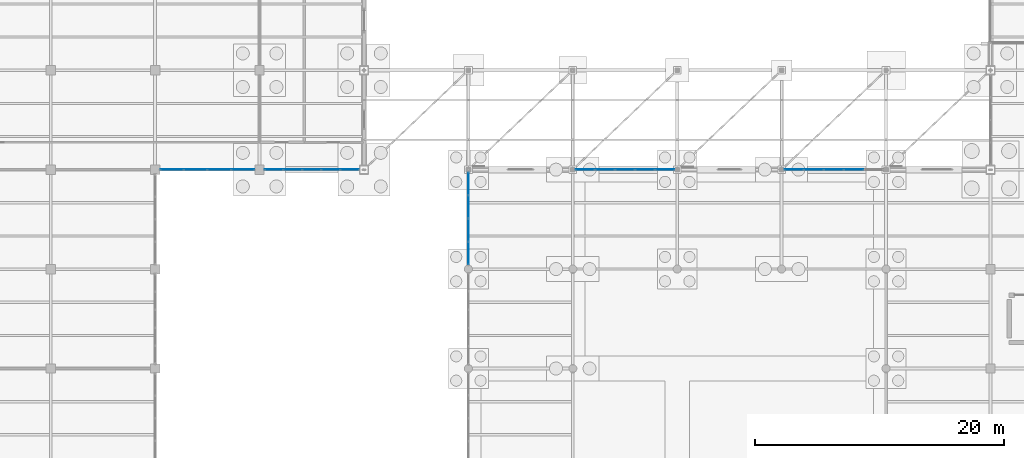
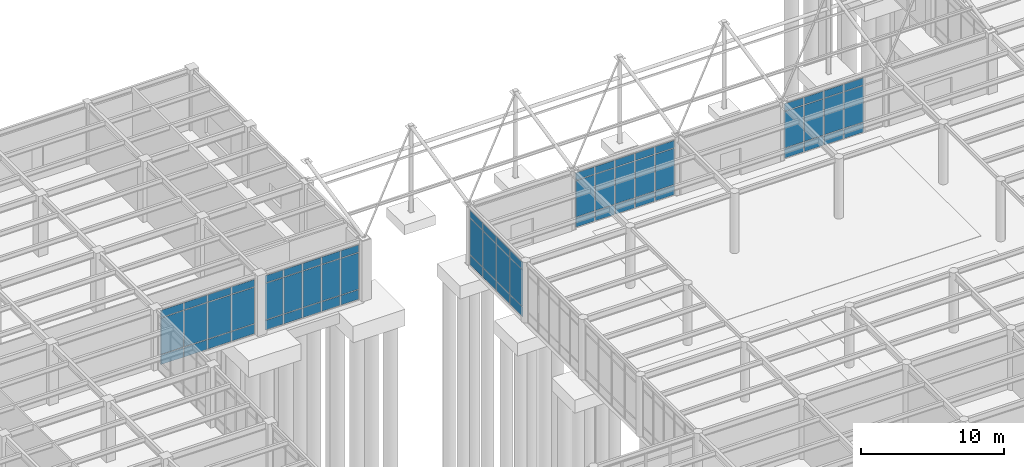
# One storey, part 69 of 138: 66 plates, 5 elements without a shape of their own.
"""IFC4 building model written with IfcOpenShell, lengths in metres."""

from ifc_helpers import new_model, si_unit, direction, frame, origin, origin_2d, place, context, subcontext, project, spatial, rectangle, extrude, material, layer, layer_set, type_object, element, aggregate, save


model = new_model("IFC4")

# Units and contexts
model_context = context("Model", 3, precision=1e-05, world=origin(), true_north=direction((0.0, 1.0)))
body_context = subcontext(model_context, "Body", "Model", "MODEL_VIEW")
ifc_project = project(units=[si_unit("LENGTHUNIT", "METRE"), si_unit("AREAUNIT", "SQUARE_METRE"), si_unit("VOLUMEUNIT", "CUBIC_METRE"), si_unit("PLANEANGLEUNIT", "RADIAN"), si_unit("MASSUNIT", "GRAM", prefix="KILO")], contexts=[model_context])

# Site, building, storey
site_placement = place(None, origin())
site = spatial("IfcSite", under=ifc_project, at=site_placement, CompositionType="ELEMENT")
building_placement = place(site_placement, origin())
building = spatial("IfcBuilding", under=site, at=building_placement, Name="Kranzveld Transit Interchange", CompositionType="ELEMENT")
storey_placement = place(building_placement, origin())
storey = spatial("IfcBuildingStorey", under=building, at=storey_placement, Name="L00", CompositionType="ELEMENT", Elevation=0.0)

# Curtain wall, plates
ifc_material_1 = material(Name="Bronze-anodised thermally broken aluminium", Category="aluminium")
ifc_layer_1 = layer(ifc_material_1, 0.159912109375)
ifc_layer_set_1 = layer_set([ifc_layer_1], Name="Bronze-anodised thermally broken aluminium")
curtain_wall_type_1 = type_object("IfcCurtainWallType", Name="Bus Boarding Glazed Screen CW-3", PredefinedType="USERDEFINED", material=ifc_layer_set_1)
curtain_wall_1_placement = place(storey_placement, origin())
curtain_wall_1 = element("IfcCurtainWall", 1, at=curtain_wall_1_placement, inside=storey, type_object=curtain_wall_type_1, Name="L00 Curtain Wall 05/M-06/M", ObjectType="CURTAIN WALL", PredefinedType="USERDEFINED")
ifc_material_2 = material(Name="Solar-control double glazing", Category="glass")
ifc_layer_2 = layer(ifc_material_2, 0.031982421875)
ifc_layer_set_2 = layer_set([ifc_layer_2], Name="Solar-control double glazing")
plate_type_1 = type_object("IfcPlateType", Name="Curtain Panel Acoustic Glazing 32", PredefinedType="CURTAIN_PANEL", material=ifc_layer_set_2)
plate_1_placement = place(storey_placement, frame((34.9462890625, 88.0, 0.06005859375), z_axis=(0.0, 0.0, 1.0), x_axis=(1.0, 0.0, 0.0)))
plate_1 = element("IfcPlate", 2, at=plate_1_placement, type_object=plate_type_1, Name="CW-3 panel 1.1", PredefinedType="CURTAIN_PANEL", context=body_context, shape_type="SweptSolid", body=[
    extrude(rectangle(XDim=1.822509765625, YDim=0.031982421875, at=origin_2d()), origin(), (0.0, 0.0, 1.0), 0.81005859375),
])
plate_2_placement = place(storey_placement, frame((34.9462890625, 88.0, 0.929931640625), z_axis=(0.0, 0.0, 1.0), x_axis=(1.0, 0.0, 0.0)))
plate_2 = element("IfcPlate", 3, at=plate_2_placement, type_object=plate_type_1, Name="CW-3 panel 1.2", PredefinedType="CURTAIN_PANEL", context=body_context, shape_type="SweptSolid", body=[
    extrude(rectangle(XDim=1.822509765625, YDim=0.031982421875, at=origin_2d()), origin(), (0.0, 0.0, 1.0), 3.08056640625),
])
plate_3_placement = place(storey_placement, frame((34.9462890625, 88.0, 4.0703125), z_axis=(0.0, 0.0, 1.0), x_axis=(1.0, 0.0, 0.0)))
plate_3 = element("IfcPlate", 4, at=plate_3_placement, type_object=plate_type_1, Name="CW-3 panel 1.3", PredefinedType="CURTAIN_PANEL", context=body_context, shape_type="SweptSolid", body=[
    extrude(rectangle(XDim=1.822509765625, YDim=0.031982421875, at=origin_2d()), origin(), (0.0, 0.0, 1.0), 0.610107421875),
])
plate_4_placement = place(storey_placement, frame((36.84375, 88.0, 0.06005859375), z_axis=(0.0, 0.0, 1.0), x_axis=(1.0, 0.0, 0.0)))
plate_4 = element("IfcPlate", 5, at=plate_4_placement, type_object=plate_type_1, Name="CW-3 panel 2.1", PredefinedType="CURTAIN_PANEL", context=body_context, shape_type="SweptSolid", body=[
    extrude(rectangle(XDim=1.8525390625, YDim=0.031982421875, at=origin_2d()), origin(), (0.0, 0.0, 1.0), 0.81005859375),
])
plate_5_placement = place(storey_placement, frame((36.84375, 88.0, 0.929931640625), z_axis=(0.0, 0.0, 1.0), x_axis=(1.0, 0.0, 0.0)))
plate_5 = element("IfcPlate", 6, at=plate_5_placement, type_object=plate_type_1, Name="CW-3 panel 2.2", PredefinedType="CURTAIN_PANEL", context=body_context, shape_type="SweptSolid", body=[
    extrude(rectangle(XDim=1.8525390625, YDim=0.031982421875, at=origin_2d()), origin(), (0.0, 0.0, 1.0), 3.08056640625),
])
plate_6_placement = place(storey_placement, frame((36.84375, 88.0, 4.0703125), z_axis=(0.0, 0.0, 1.0), x_axis=(1.0, 0.0, 0.0)))
plate_6 = element("IfcPlate", 7, at=plate_6_placement, type_object=plate_type_1, Name="CW-3 panel 2.3", PredefinedType="CURTAIN_PANEL", context=body_context, shape_type="SweptSolid", body=[
    extrude(rectangle(XDim=1.8525390625, YDim=0.031982421875, at=origin_2d()), origin(), (0.0, 0.0, 1.0), 0.610107421875),
])
plate_7_placement = place(storey_placement, frame((38.75634765625, 88.0, 0.06005859375), z_axis=(0.0, 0.0, 1.0), x_axis=(1.0, 0.0, 0.0)))
plate_7 = element("IfcPlate", 8, at=plate_7_placement, type_object=plate_type_1, Name="CW-3 panel 3.1", PredefinedType="CURTAIN_PANEL", context=body_context, shape_type="SweptSolid", body=[
    extrude(rectangle(XDim=1.8525390625, YDim=0.031982421875, at=origin_2d()), origin(), (0.0, 0.0, 1.0), 0.81005859375),
])
plate_8_placement = place(storey_placement, frame((38.75634765625, 88.0, 0.929931640625), z_axis=(0.0, 0.0, 1.0), x_axis=(1.0, 0.0, 0.0)))
plate_8 = element("IfcPlate", 9, at=plate_8_placement, type_object=plate_type_1, Name="CW-3 panel 3.2", PredefinedType="CURTAIN_PANEL", context=body_context, shape_type="SweptSolid", body=[
    extrude(rectangle(XDim=1.8525390625, YDim=0.031982421875, at=origin_2d()), origin(), (0.0, 0.0, 1.0), 3.08056640625),
])
plate_9_placement = place(storey_placement, frame((38.75634765625, 88.0, 4.0703125), z_axis=(0.0, 0.0, 1.0), x_axis=(1.0, 0.0, 0.0)))
plate_9 = element("IfcPlate", 10, at=plate_9_placement, type_object=plate_type_1, Name="CW-3 panel 3.3", PredefinedType="CURTAIN_PANEL", context=body_context, shape_type="SweptSolid", body=[
    extrude(rectangle(XDim=1.8525390625, YDim=0.031982421875, at=origin_2d()), origin(), (0.0, 0.0, 1.0), 0.610107421875),
])
plate_10_placement = place(storey_placement, frame((40.65380859375, 88.0, 0.06005859375), z_axis=(0.0, 0.0, 1.0), x_axis=(1.0, 0.0, 0.0)))
plate_10 = element("IfcPlate", 11, at=plate_10_placement, type_object=plate_type_1, Name="CW-3 panel 4.1", PredefinedType="CURTAIN_PANEL", context=body_context, shape_type="SweptSolid", body=[
    extrude(rectangle(XDim=1.822509765625, YDim=0.031982421875, at=origin_2d()), origin(), (0.0, 0.0, 1.0), 0.81005859375),
])
plate_11_placement = place(storey_placement, frame((40.65380859375, 88.0, 0.929931640625), z_axis=(0.0, 0.0, 1.0), x_axis=(1.0, 0.0, 0.0)))
plate_11 = element("IfcPlate", 12, at=plate_11_placement, type_object=plate_type_1, Name="CW-3 panel 4.2", PredefinedType="CURTAIN_PANEL", context=body_context, shape_type="SweptSolid", body=[
    extrude(rectangle(XDim=1.822509765625, YDim=0.031982421875, at=origin_2d()), origin(), (0.0, 0.0, 1.0), 3.08056640625),
])
plate_12_placement = place(storey_placement, frame((40.65380859375, 88.0, 4.0703125), z_axis=(0.0, 0.0, 1.0), x_axis=(1.0, 0.0, 0.0)))
plate_12 = element("IfcPlate", 13, at=plate_12_placement, type_object=plate_type_1, Name="CW-3 panel 4.3", PredefinedType="CURTAIN_PANEL", context=body_context, shape_type="SweptSolid", body=[
    extrude(rectangle(XDim=1.822509765625, YDim=0.031982421875, at=origin_2d()), origin(), (0.0, 0.0, 1.0), 0.610107421875),
])
aggregate(curtain_wall_1, [plate_1, plate_2, plate_3, plate_4, plate_5, plate_6, plate_7, plate_8, plate_9, plate_10, plate_11, plate_12])

ifc_material_3 = material(Name="Bronze-anodised thermally broken aluminium", Category="aluminium")
ifc_layer_3 = layer(ifc_material_3, 0.14990234375)
ifc_layer_set_3 = layer_set([ifc_layer_3], Name="Bronze-anodised thermally broken aluminium")
curtain_wall_type_2 = type_object("IfcCurtainWallType", Name="Public Passage Clerestory Screen CW-4", PredefinedType="USERDEFINED", material=ifc_layer_set_3)
curtain_wall_2_placement = place(storey_placement, origin())
curtain_wall_2 = element("IfcCurtainWall", 14, at=curtain_wall_2_placement, inside=storey, type_object=curtain_wall_type_2, Name="L00 Curtain Wall 06/M-07/M", ObjectType="CURTAIN WALL", PredefinedType="USERDEFINED")
ifc_material_4 = material(Name="Solar-control double glazing", Category="glass")
ifc_layer_4 = layer(ifc_material_4, 0.0419921875)
ifc_layer_set_4 = layer_set([ifc_layer_4], Name="Solar-control double glazing")
plate_type_2 = type_object("IfcPlateType", Name="Curtain Panel Laminated Glazing 42", PredefinedType="CURTAIN_PANEL", material=ifc_layer_set_4)
plate_13_placement = place(storey_placement, frame((43.155029296875, 88.0, 0.06005859375), z_axis=(0.0, 0.0, 1.0), x_axis=(1.0, 0.0, 0.0)))
plate_13 = element("IfcPlate", 15, at=plate_13_placement, type_object=plate_type_2, Name="CW-4 panel 1.1", PredefinedType="CURTAIN_PANEL", context=body_context, shape_type="SweptSolid", body=[
    extrude(rectangle(XDim=1.43994140625, YDim=0.0419921875, at=origin_2d()), origin(), (0.0, 0.0, 1.0), 0.81005859375),
])
plate_14_placement = place(storey_placement, frame((43.155029296875, 88.0, 0.929931640625), z_axis=(0.0, 0.0, 1.0), x_axis=(1.0, 0.0, 0.0)))
plate_14 = element("IfcPlate", 16, at=plate_14_placement, type_object=plate_type_2, Name="CW-4 panel 1.2", PredefinedType="CURTAIN_PANEL", context=body_context, shape_type="SweptSolid", body=[
    extrude(rectangle(XDim=1.43994140625, YDim=0.0419921875, at=origin_2d()), origin(), (0.0, 0.0, 1.0), 3.08056640625),
])
plate_15_placement = place(storey_placement, frame((43.155029296875, 88.0, 4.0703125), z_axis=(0.0, 0.0, 1.0), x_axis=(1.0, 0.0, 0.0)))
plate_15 = element("IfcPlate", 17, at=plate_15_placement, type_object=plate_type_2, Name="CW-4 panel 1.3", PredefinedType="CURTAIN_PANEL", context=body_context, shape_type="SweptSolid", body=[
    extrude(rectangle(XDim=1.43994140625, YDim=0.0419921875, at=origin_2d()), origin(), (0.0, 0.0, 1.0), 0.610107421875),
])
plate_16_placement = place(storey_placement, frame((44.669921875, 88.0, 0.06005859375), z_axis=(0.0, 0.0, 1.0), x_axis=(1.0, 0.0, 0.0)))
plate_16 = element("IfcPlate", 18, at=plate_16_placement, type_object=plate_type_2, Name="CW-4 panel 2.1", PredefinedType="CURTAIN_PANEL", context=body_context, shape_type="SweptSolid", body=[
    extrude(rectangle(XDim=1.469970703125, YDim=0.0419921875, at=origin_2d()), origin(), (0.0, 0.0, 1.0), 0.81005859375),
])
plate_17_placement = place(storey_placement, frame((44.669921875, 88.0, 0.929931640625), z_axis=(0.0, 0.0, 1.0), x_axis=(1.0, 0.0, 0.0)))
plate_17 = element("IfcPlate", 19, at=plate_17_placement, type_object=plate_type_2, Name="CW-4 panel 2.2", PredefinedType="CURTAIN_PANEL", context=body_context, shape_type="SweptSolid", body=[
    extrude(rectangle(XDim=1.469970703125, YDim=0.0419921875, at=origin_2d()), origin(), (0.0, 0.0, 1.0), 3.08056640625),
])
plate_18_placement = place(storey_placement, frame((44.669921875, 88.0, 4.0703125), z_axis=(0.0, 0.0, 1.0), x_axis=(1.0, 0.0, 0.0)))
plate_18 = element("IfcPlate", 20, at=plate_18_placement, type_object=plate_type_2, Name="CW-4 panel 2.3", PredefinedType="CURTAIN_PANEL", context=body_context, shape_type="SweptSolid", body=[
    extrude(rectangle(XDim=1.469970703125, YDim=0.0419921875, at=origin_2d()), origin(), (0.0, 0.0, 1.0), 0.610107421875),
])
plate_19_placement = place(storey_placement, frame((46.199951171875, 88.0, 0.06005859375), z_axis=(0.0, 0.0, 1.0), x_axis=(1.0, 0.0, 0.0)))
plate_19 = element("IfcPlate", 21, at=plate_19_placement, type_object=plate_type_2, Name="CW-4 panel 3.1", PredefinedType="CURTAIN_PANEL", context=body_context, shape_type="SweptSolid", body=[
    extrude(rectangle(XDim=1.469970703125, YDim=0.0419921875, at=origin_2d()), origin(), (0.0, 0.0, 1.0), 0.81005859375),
])
plate_20_placement = place(storey_placement, frame((46.199951171875, 88.0, 0.929931640625), z_axis=(0.0, 0.0, 1.0), x_axis=(1.0, 0.0, 0.0)))
plate_20 = element("IfcPlate", 22, at=plate_20_placement, type_object=plate_type_2, Name="CW-4 panel 3.2", PredefinedType="CURTAIN_PANEL", context=body_context, shape_type="SweptSolid", body=[
    extrude(rectangle(XDim=1.469970703125, YDim=0.0419921875, at=origin_2d()), origin(), (0.0, 0.0, 1.0), 3.08056640625),
])
plate_21_placement = place(storey_placement, frame((46.199951171875, 88.0, 4.0703125), z_axis=(0.0, 0.0, 1.0), x_axis=(1.0, 0.0, 0.0)))
plate_21 = element("IfcPlate", 23, at=plate_21_placement, type_object=plate_type_2, Name="CW-4 panel 3.3", PredefinedType="CURTAIN_PANEL", context=body_context, shape_type="SweptSolid", body=[
    extrude(rectangle(XDim=1.469970703125, YDim=0.0419921875, at=origin_2d()), origin(), (0.0, 0.0, 1.0), 0.610107421875),
])
plate_22_placement = place(storey_placement, frame((47.72998046875, 88.0, 0.06005859375), z_axis=(0.0, 0.0, 1.0), x_axis=(1.0, 0.0, 0.0)))
plate_22 = element("IfcPlate", 24, at=plate_22_placement, type_object=plate_type_2, Name="CW-4 panel 4.1", PredefinedType="CURTAIN_PANEL", context=body_context, shape_type="SweptSolid", body=[
    extrude(rectangle(XDim=1.469970703125, YDim=0.0419921875, at=origin_2d()), origin(), (0.0, 0.0, 1.0), 0.81005859375),
])
plate_23_placement = place(storey_placement, frame((47.72998046875, 88.0, 0.929931640625), z_axis=(0.0, 0.0, 1.0), x_axis=(1.0, 0.0, 0.0)))
plate_23 = element("IfcPlate", 25, at=plate_23_placement, type_object=plate_type_2, Name="CW-4 panel 4.2", PredefinedType="CURTAIN_PANEL", context=body_context, shape_type="SweptSolid", body=[
    extrude(rectangle(XDim=1.469970703125, YDim=0.0419921875, at=origin_2d()), origin(), (0.0, 0.0, 1.0), 3.08056640625),
])
plate_24_placement = place(storey_placement, frame((47.72998046875, 88.0, 4.0703125), z_axis=(0.0, 0.0, 1.0), x_axis=(1.0, 0.0, 0.0)))
plate_24 = element("IfcPlate", 26, at=plate_24_placement, type_object=plate_type_2, Name="CW-4 panel 4.3", PredefinedType="CURTAIN_PANEL", context=body_context, shape_type="SweptSolid", body=[
    extrude(rectangle(XDim=1.469970703125, YDim=0.0419921875, at=origin_2d()), origin(), (0.0, 0.0, 1.0), 0.610107421875),
])
plate_25_placement = place(storey_placement, frame((49.2451171875, 88.0, 0.06005859375), z_axis=(0.0, 0.0, 1.0), x_axis=(1.0, 0.0, 0.0)))
plate_25 = element("IfcPlate", 27, at=plate_25_placement, type_object=plate_type_2, Name="CW-4 panel 5.1", PredefinedType="CURTAIN_PANEL", context=body_context, shape_type="SweptSolid", body=[
    extrude(rectangle(XDim=1.43994140625, YDim=0.0419921875, at=origin_2d()), origin(), (0.0, 0.0, 1.0), 0.81005859375),
])
plate_26_placement = place(storey_placement, frame((49.2451171875, 88.0, 0.929931640625), z_axis=(0.0, 0.0, 1.0), x_axis=(1.0, 0.0, 0.0)))
plate_26 = element("IfcPlate", 28, at=plate_26_placement, type_object=plate_type_2, Name="CW-4 panel 5.2", PredefinedType="CURTAIN_PANEL", context=body_context, shape_type="SweptSolid", body=[
    extrude(rectangle(XDim=1.43994140625, YDim=0.0419921875, at=origin_2d()), origin(), (0.0, 0.0, 1.0), 3.08056640625),
])
plate_27_placement = place(storey_placement, frame((49.2451171875, 88.0, 4.0703125), z_axis=(0.0, 0.0, 1.0), x_axis=(1.0, 0.0, 0.0)))
plate_27 = element("IfcPlate", 29, at=plate_27_placement, type_object=plate_type_2, Name="CW-4 panel 5.3", PredefinedType="CURTAIN_PANEL", context=body_context, shape_type="SweptSolid", body=[
    extrude(rectangle(XDim=1.43994140625, YDim=0.0419921875, at=origin_2d()), origin(), (0.0, 0.0, 1.0), 0.610107421875),
])
aggregate(curtain_wall_2, [plate_13, plate_14, plate_15, plate_16, plate_17, plate_18, plate_19, plate_20, plate_21, plate_22, plate_23, plate_24, plate_25, plate_26, plate_27])

ifc_material_5 = material(Name="Bronze-anodised thermally broken aluminium", Category="aluminium")
ifc_layer_5 = layer(ifc_material_5, 0.18505859375)
ifc_layer_set_5 = layer_set([ifc_layer_5], Name="Bronze-anodised thermally broken aluminium")
curtain_wall_type_3 = type_object("IfcCurtainWallType", Name="Control Crown Observation Facade CW-5", PredefinedType="USERDEFINED", material=ifc_layer_set_5)
curtain_wall_3_placement = place(storey_placement, origin())
curtain_wall_3 = element("IfcCurtainWall", 30, at=curtain_wall_3_placement, inside=storey, type_object=curtain_wall_type_3, Name="L00 Curtain Wall 08/L-08/M", ObjectType="CURTAIN WALL", PredefinedType="USERDEFINED")
ifc_material_6 = material(Name="Solar-control double glazing", Category="glass")
ifc_layer_6 = layer(ifc_material_6, 0.035888671875)
ifc_layer_set_6 = layer_set([ifc_layer_6], Name="Solar-control double glazing")
plate_type_3 = type_object("IfcPlateType", Name="Curtain Panel Triple Glazing 36", PredefinedType="CURTAIN_PANEL", material=ifc_layer_set_6)
plate_28_placement = place(storey_placement, frame((58.800048828125, 81.2783203125, 0.06494140625), z_axis=(0.0, 0.0, 1.0), x_axis=(0.0, 1.0, 0.0)))
plate_28 = element("IfcPlate", 31, at=plate_28_placement, type_object=plate_type_3, Name="CW-5 panel 1.1", PredefinedType="CURTAIN_PANEL", context=body_context, shape_type="SweptSolid", body=[
    extrude(rectangle(XDim=1.77685546875, YDim=0.035888671875, at=origin_2d()), origin(), (0.0, 0.0, 1.0), 0.802490234375),
])
plate_29_placement = place(storey_placement, frame((58.800048828125, 81.2783203125, 0.932373046875), z_axis=(0.0, 0.0, 1.0), x_axis=(0.0, 1.0, 0.0)))
plate_29 = element("IfcPlate", 32, at=plate_29_placement, type_object=plate_type_3, Name="CW-5 panel 1.2", PredefinedType="CURTAIN_PANEL", context=body_context, shape_type="SweptSolid", body=[
    extrude(rectangle(XDim=1.77685546875, YDim=0.035888671875, at=origin_2d()), origin(), (0.0, 0.0, 1.0), 3.08251953125),
])
plate_30_placement = place(storey_placement, frame((58.800048828125, 81.2783203125, 4.079833984375), z_axis=(0.0, 0.0, 1.0), x_axis=(0.0, 1.0, 0.0)))
plate_30 = element("IfcPlate", 33, at=plate_30_placement, type_object=plate_type_3, Name="CW-5 panel 1.3", PredefinedType="CURTAIN_PANEL", context=body_context, shape_type="SweptSolid", body=[
    extrude(rectangle(XDim=1.77685546875, YDim=0.035888671875, at=origin_2d()), origin(), (0.0, 0.0, 1.0), 0.6025390625),
])
plate_31_placement = place(storey_placement, frame((58.800048828125, 83.136474609375, 0.06494140625), z_axis=(0.0, 0.0, 1.0), x_axis=(0.0, 1.0, 0.0)))
plate_31 = element("IfcPlate", 34, at=plate_31_placement, type_object=plate_type_3, Name="CW-5 panel 2.1", PredefinedType="CURTAIN_PANEL", context=body_context, shape_type="SweptSolid", body=[
    extrude(rectangle(XDim=1.809326171875, YDim=0.035888671875, at=origin_2d()), origin(), (0.0, 0.0, 1.0), 0.802490234375),
])
plate_32_placement = place(storey_placement, frame((58.800048828125, 83.136474609375, 0.932373046875), z_axis=(0.0, 0.0, 1.0), x_axis=(0.0, 1.0, 0.0)))
plate_32 = element("IfcPlate", 35, at=plate_32_placement, type_object=plate_type_3, Name="CW-5 panel 2.2", PredefinedType="CURTAIN_PANEL", context=body_context, shape_type="SweptSolid", body=[
    extrude(rectangle(XDim=1.809326171875, YDim=0.035888671875, at=origin_2d()), origin(), (0.0, 0.0, 1.0), 3.08251953125),
])
plate_33_placement = place(storey_placement, frame((58.800048828125, 83.136474609375, 4.079833984375), z_axis=(0.0, 0.0, 1.0), x_axis=(0.0, 1.0, 0.0)))
plate_33 = element("IfcPlate", 36, at=plate_33_placement, type_object=plate_type_3, Name="CW-5 panel 2.3", PredefinedType="CURTAIN_PANEL", context=body_context, shape_type="SweptSolid", body=[
    extrude(rectangle(XDim=1.809326171875, YDim=0.035888671875, at=origin_2d()), origin(), (0.0, 0.0, 1.0), 0.6025390625),
])
plate_34_placement = place(storey_placement, frame((58.800048828125, 85.0107421875, 0.06494140625), z_axis=(0.0, 0.0, 1.0), x_axis=(0.0, 1.0, 0.0)))
plate_34 = element("IfcPlate", 37, at=plate_34_placement, type_object=plate_type_3, Name="CW-5 panel 3.1", PredefinedType="CURTAIN_PANEL", context=body_context, shape_type="SweptSolid", body=[
    extrude(rectangle(XDim=1.809326171875, YDim=0.035888671875, at=origin_2d()), origin(), (0.0, 0.0, 1.0), 0.802490234375),
])
plate_35_placement = place(storey_placement, frame((58.800048828125, 85.0107421875, 0.932373046875), z_axis=(0.0, 0.0, 1.0), x_axis=(0.0, 1.0, 0.0)))
plate_35 = element("IfcPlate", 38, at=plate_35_placement, type_object=plate_type_3, Name="CW-5 panel 3.2", PredefinedType="CURTAIN_PANEL", context=body_context, shape_type="SweptSolid", body=[
    extrude(rectangle(XDim=1.809326171875, YDim=0.035888671875, at=origin_2d()), origin(), (0.0, 0.0, 1.0), 3.08251953125),
])
plate_36_placement = place(storey_placement, frame((58.800048828125, 85.0107421875, 4.079833984375), z_axis=(0.0, 0.0, 1.0), x_axis=(0.0, 1.0, 0.0)))
plate_36 = element("IfcPlate", 39, at=plate_36_placement, type_object=plate_type_3, Name="CW-5 panel 3.3", PredefinedType="CURTAIN_PANEL", context=body_context, shape_type="SweptSolid", body=[
    extrude(rectangle(XDim=1.809326171875, YDim=0.035888671875, at=origin_2d()), origin(), (0.0, 0.0, 1.0), 0.6025390625),
])
plate_37_placement = place(storey_placement, frame((58.800048828125, 86.868896484375, 0.06494140625), z_axis=(0.0, 0.0, 1.0), x_axis=(0.0, 1.0, 0.0)))
plate_37 = element("IfcPlate", 40, at=plate_37_placement, type_object=plate_type_3, Name="CW-5 panel 4.1", PredefinedType="CURTAIN_PANEL", context=body_context, shape_type="SweptSolid", body=[
    extrude(rectangle(XDim=1.77685546875, YDim=0.035888671875, at=origin_2d()), origin(), (0.0, 0.0, 1.0), 0.802490234375),
])
plate_38_placement = place(storey_placement, frame((58.800048828125, 86.868896484375, 0.932373046875), z_axis=(0.0, 0.0, 1.0), x_axis=(0.0, 1.0, 0.0)))
plate_38 = element("IfcPlate", 41, at=plate_38_placement, type_object=plate_type_3, Name="CW-5 panel 4.2", PredefinedType="CURTAIN_PANEL", context=body_context, shape_type="SweptSolid", body=[
    extrude(rectangle(XDim=1.77685546875, YDim=0.035888671875, at=origin_2d()), origin(), (0.0, 0.0, 1.0), 3.08251953125),
])
plate_39_placement = place(storey_placement, frame((58.800048828125, 86.868896484375, 4.079833984375), z_axis=(0.0, 0.0, 1.0), x_axis=(0.0, 1.0, 0.0)))
plate_39 = element("IfcPlate", 42, at=plate_39_placement, type_object=plate_type_3, Name="CW-5 panel 4.3", PredefinedType="CURTAIN_PANEL", context=body_context, shape_type="SweptSolid", body=[
    extrude(rectangle(XDim=1.77685546875, YDim=0.035888671875, at=origin_2d()), origin(), (0.0, 0.0, 1.0), 0.6025390625),
])
aggregate(curtain_wall_3, [plate_28, plate_29, plate_30, plate_31, plate_32, plate_33, plate_34, plate_35, plate_36, plate_37, plate_38, plate_39])

ifc_material_7 = material(Name="Bronze-anodised thermally broken aluminium", Category="aluminium")
ifc_layer_7 = layer(ifc_material_7, 0.1650390625)
ifc_layer_set_7 = layer_set([ifc_layer_7], Name="Bronze-anodised thermally broken aluminium")
curtain_wall_type_4 = type_object("IfcCurtainWallType", Name="Sunny Court Arcade Curtain Wall CW-2", PredefinedType="USERDEFINED", material=ifc_layer_set_7)
curtain_wall_4_placement = place(storey_placement, origin())
curtain_wall_4 = element("IfcCurtainWall", 43, at=curtain_wall_4_placement, inside=storey, type_object=curtain_wall_type_4, Name="L00 Curtain Wall 11/M-12/M", ObjectType="CURTAIN WALL", PredefinedType="USERDEFINED")
ifc_material_8 = material(Name="Pretoria red-purple clinker clay face brick, 35 MPa", Category="masonry")
ifc_layer_8 = layer(ifc_material_8, 0.050048828125)
ifc_layer_set_8 = layer_set([ifc_layer_8], Name="Pretoria red-purple clinker clay face brick, 35 MPa")
plate_type_4 = type_object("IfcPlateType", Name="Curtain Spandrel Clinker Tile 50", PredefinedType="CURTAIN_PANEL", material=ifc_layer_set_8)
plate_40_placement = place(storey_placement, frame((84.99853515625, 88.0, 0.06005859375), z_axis=(0.0, 0.0, 1.0), x_axis=(1.0, 0.0, 0.0)))
plate_40 = element("IfcPlate", 44, at=plate_40_placement, type_object=plate_type_4, Name="CW-2 panel 1.1", PredefinedType="CURTAIN_PANEL", context=body_context, shape_type="SweptSolid", body=[
    extrude(rectangle(XDim=1.511474609375, YDim=0.050048828125, at=origin_2d()), origin(), (0.0, 0.0, 1.0), 0.81005859375),
])
plate_41_placement = place(storey_placement, frame((84.99853515625, 88.0, 0.929931640625), z_axis=(0.0, 0.0, 1.0), x_axis=(1.0, 0.0, 0.0)))
plate_41 = element("IfcPlate", 45, at=plate_41_placement, type_object=plate_type_4, Name="CW-2 panel 1.2", PredefinedType="CURTAIN_PANEL", context=body_context, shape_type="SweptSolid", body=[
    extrude(rectangle(XDim=1.511474609375, YDim=0.050048828125, at=origin_2d()), origin(), (0.0, 0.0, 1.0), 3.08056640625),
])
plate_42_placement = place(storey_placement, frame((84.99853515625, 88.0, 4.0703125), z_axis=(0.0, 0.0, 1.0), x_axis=(1.0, 0.0, 0.0)))
plate_42 = element("IfcPlate", 46, at=plate_42_placement, type_object=plate_type_4, Name="CW-2 panel 1.3", PredefinedType="CURTAIN_PANEL", context=body_context, shape_type="SweptSolid", body=[
    extrude(rectangle(XDim=1.511474609375, YDim=0.050048828125, at=origin_2d()), origin(), (0.0, 0.0, 1.0), 0.610107421875),
])
plate_43_placement = place(storey_placement, frame((86.591064453125, 88.0, 0.06005859375), z_axis=(0.0, 0.0, 1.0), x_axis=(1.0, 0.0, 0.0)))
plate_43 = element("IfcPlate", 47, at=plate_43_placement, type_object=plate_type_4, Name="CW-2 panel 2.1", PredefinedType="CURTAIN_PANEL", context=body_context, shape_type="SweptSolid", body=[
    extrude(rectangle(XDim=1.5439453125, YDim=0.050048828125, at=origin_2d()), origin(), (0.0, 0.0, 1.0), 0.81005859375),
])
plate_44_placement = place(storey_placement, frame((86.591064453125, 88.0, 0.929931640625), z_axis=(0.0, 0.0, 1.0), x_axis=(1.0, 0.0, 0.0)))
plate_44 = element("IfcPlate", 48, at=plate_44_placement, type_object=plate_type_4, Name="CW-2 panel 2.2", PredefinedType="CURTAIN_PANEL", context=body_context, shape_type="SweptSolid", body=[
    extrude(rectangle(XDim=1.5439453125, YDim=0.050048828125, at=origin_2d()), origin(), (0.0, 0.0, 1.0), 3.08056640625),
])
plate_45_placement = place(storey_placement, frame((86.591064453125, 88.0, 4.0703125), z_axis=(0.0, 0.0, 1.0), x_axis=(1.0, 0.0, 0.0)))
plate_45 = element("IfcPlate", 49, at=plate_45_placement, type_object=plate_type_4, Name="CW-2 panel 2.3", PredefinedType="CURTAIN_PANEL", context=body_context, shape_type="SweptSolid", body=[
    extrude(rectangle(XDim=1.5439453125, YDim=0.050048828125, at=origin_2d()), origin(), (0.0, 0.0, 1.0), 0.610107421875),
])
plate_46_placement = place(storey_placement, frame((88.199951171875, 88.0, 0.06005859375), z_axis=(0.0, 0.0, 1.0), x_axis=(1.0, 0.0, 0.0)))
plate_46 = element("IfcPlate", 50, at=plate_46_placement, type_object=plate_type_4, Name="CW-2 panel 3.1", PredefinedType="CURTAIN_PANEL", context=body_context, shape_type="SweptSolid", body=[
    extrude(rectangle(XDim=1.5439453125, YDim=0.050048828125, at=origin_2d()), origin(), (0.0, 0.0, 1.0), 0.81005859375),
])
plate_47_placement = place(storey_placement, frame((88.199951171875, 88.0, 0.929931640625), z_axis=(0.0, 0.0, 1.0), x_axis=(1.0, 0.0, 0.0)))
plate_47 = element("IfcPlate", 51, at=plate_47_placement, type_object=plate_type_4, Name="CW-2 panel 3.2", PredefinedType="CURTAIN_PANEL", context=body_context, shape_type="SweptSolid", body=[
    extrude(rectangle(XDim=1.5439453125, YDim=0.050048828125, at=origin_2d()), origin(), (0.0, 0.0, 1.0), 3.08056640625),
])
plate_48_placement = place(storey_placement, frame((88.199951171875, 88.0, 4.0703125), z_axis=(0.0, 0.0, 1.0), x_axis=(1.0, 0.0, 0.0)))
plate_48 = element("IfcPlate", 52, at=plate_48_placement, type_object=plate_type_4, Name="CW-2 panel 3.3", PredefinedType="CURTAIN_PANEL", context=body_context, shape_type="SweptSolid", body=[
    extrude(rectangle(XDim=1.5439453125, YDim=0.050048828125, at=origin_2d()), origin(), (0.0, 0.0, 1.0), 0.610107421875),
])
plate_49_placement = place(storey_placement, frame((89.808837890625, 88.0, 0.06005859375), z_axis=(0.0, 0.0, 1.0), x_axis=(1.0, 0.0, 0.0)))
plate_49 = element("IfcPlate", 53, at=plate_49_placement, type_object=plate_type_4, Name="CW-2 panel 4.1", PredefinedType="CURTAIN_PANEL", context=body_context, shape_type="SweptSolid", body=[
    extrude(rectangle(XDim=1.5439453125, YDim=0.050048828125, at=origin_2d()), origin(), (0.0, 0.0, 1.0), 0.81005859375),
])
plate_50_placement = place(storey_placement, frame((89.808837890625, 88.0, 0.929931640625), z_axis=(0.0, 0.0, 1.0), x_axis=(1.0, 0.0, 0.0)))
plate_50 = element("IfcPlate", 54, at=plate_50_placement, type_object=plate_type_4, Name="CW-2 panel 4.2", PredefinedType="CURTAIN_PANEL", context=body_context, shape_type="SweptSolid", body=[
    extrude(rectangle(XDim=1.5439453125, YDim=0.050048828125, at=origin_2d()), origin(), (0.0, 0.0, 1.0), 3.08056640625),
])
plate_51_placement = place(storey_placement, frame((89.808837890625, 88.0, 4.0703125), z_axis=(0.0, 0.0, 1.0), x_axis=(1.0, 0.0, 0.0)))
plate_51 = element("IfcPlate", 55, at=plate_51_placement, type_object=plate_type_4, Name="CW-2 panel 4.3", PredefinedType="CURTAIN_PANEL", context=body_context, shape_type="SweptSolid", body=[
    extrude(rectangle(XDim=1.5439453125, YDim=0.050048828125, at=origin_2d()), origin(), (0.0, 0.0, 1.0), 0.610107421875),
])
aggregate(curtain_wall_4, [plate_40, plate_41, plate_42, plate_43, plate_44, plate_45, plate_46, plate_47, plate_48, plate_49, plate_50, plate_51])

ifc_material_9 = material(Name="Bronze-anodised thermally broken aluminium", Category="aluminium")
ifc_layer_9 = layer(ifc_material_9, 0.155029296875)
ifc_layer_set_9 = layer_set([ifc_layer_9], Name="Bronze-anodised thermally broken aluminium")
curtain_wall_type_5 = type_object("IfcCurtainWallType", Name="Operations Courtyard Glazed Screen CW-6", PredefinedType="USERDEFINED", material=ifc_layer_set_9)
curtain_wall_5_placement = place(storey_placement, origin())
curtain_wall_5 = element("IfcCurtainWall", 56, at=curtain_wall_5_placement, inside=storey, type_object=curtain_wall_type_5, Name="L00 Curtain Wall 09/M-10/M", ObjectType="CURTAIN WALL", PredefinedType="USERDEFINED")
ifc_material_10 = material(Name="Ochre Pretoria sandstone cladding, 45 MPa", Category="masonry")
ifc_layer_10 = layer(ifc_material_10, 0.0458984375)
ifc_layer_set_10 = layer_set([ifc_layer_10], Name="Ochre Pretoria sandstone cladding, 45 MPa")
plate_type_5 = type_object("IfcPlateType", Name="Curtain Spandrel Sandstone 46", PredefinedType="CURTAIN_PANEL", material=ifc_layer_set_10)
plate_52_placement = place(storey_placement, frame((68.198486328125, 88.0, 0.06005859375), z_axis=(0.0, 0.0, 1.0), x_axis=(1.0, 0.0, 0.0)))
plate_52 = element("IfcPlate", 57, at=plate_52_placement, type_object=plate_type_5, Name="CW-6 panel 1.1", PredefinedType="CURTAIN_PANEL", context=body_context, shape_type="SweptSolid", body=[
    extrude(rectangle(XDim=1.511474609375, YDim=0.0458984375, at=origin_2d()), origin(), (0.0, 0.0, 1.0), 0.81005859375),
])
plate_53_placement = place(storey_placement, frame((68.198486328125, 88.0, 0.929931640625), z_axis=(0.0, 0.0, 1.0), x_axis=(1.0, 0.0, 0.0)))
plate_53 = element("IfcPlate", 58, at=plate_53_placement, type_object=plate_type_5, Name="CW-6 panel 1.2", PredefinedType="CURTAIN_PANEL", context=body_context, shape_type="SweptSolid", body=[
    extrude(rectangle(XDim=1.511474609375, YDim=0.0458984375, at=origin_2d()), origin(), (0.0, 0.0, 1.0), 3.08056640625),
])
plate_54_placement = place(storey_placement, frame((68.198486328125, 88.0, 4.0703125), z_axis=(0.0, 0.0, 1.0), x_axis=(1.0, 0.0, 0.0)))
plate_54 = element("IfcPlate", 59, at=plate_54_placement, type_object=plate_type_5, Name="CW-6 panel 1.3", PredefinedType="CURTAIN_PANEL", context=body_context, shape_type="SweptSolid", body=[
    extrude(rectangle(XDim=1.511474609375, YDim=0.0458984375, at=origin_2d()), origin(), (0.0, 0.0, 1.0), 0.610107421875),
])
plate_55_placement = place(storey_placement, frame((69.791015625, 88.0, 0.06005859375), z_axis=(0.0, 0.0, 1.0), x_axis=(1.0, 0.0, 0.0)))
plate_55 = element("IfcPlate", 60, at=plate_55_placement, type_object=plate_type_5, Name="CW-6 panel 2.1", PredefinedType="CURTAIN_PANEL", context=body_context, shape_type="SweptSolid", body=[
    extrude(rectangle(XDim=1.5439453125, YDim=0.0458984375, at=origin_2d()), origin(), (0.0, 0.0, 1.0), 0.81005859375),
])
plate_56_placement = place(storey_placement, frame((69.791015625, 88.0, 0.929931640625), z_axis=(0.0, 0.0, 1.0), x_axis=(1.0, 0.0, 0.0)))
plate_56 = element("IfcPlate", 61, at=plate_56_placement, type_object=plate_type_5, Name="CW-6 panel 2.2", PredefinedType="CURTAIN_PANEL", context=body_context, shape_type="SweptSolid", body=[
    extrude(rectangle(XDim=1.5439453125, YDim=0.0458984375, at=origin_2d()), origin(), (0.0, 0.0, 1.0), 3.08056640625),
])
plate_57_placement = place(storey_placement, frame((69.791015625, 88.0, 4.0703125), z_axis=(0.0, 0.0, 1.0), x_axis=(1.0, 0.0, 0.0)))
plate_57 = element("IfcPlate", 62, at=plate_57_placement, type_object=plate_type_5, Name="CW-6 panel 2.3", PredefinedType="CURTAIN_PANEL", context=body_context, shape_type="SweptSolid", body=[
    extrude(rectangle(XDim=1.5439453125, YDim=0.0458984375, at=origin_2d()), origin(), (0.0, 0.0, 1.0), 0.610107421875),
])
plate_58_placement = place(storey_placement, frame((71.39990234375, 88.0, 0.06005859375), z_axis=(0.0, 0.0, 1.0), x_axis=(1.0, 0.0, 0.0)))
plate_58 = element("IfcPlate", 63, at=plate_58_placement, type_object=plate_type_5, Name="CW-6 panel 3.1", PredefinedType="CURTAIN_PANEL", context=body_context, shape_type="SweptSolid", body=[
    extrude(rectangle(XDim=1.5439453125, YDim=0.0458984375, at=origin_2d()), origin(), (0.0, 0.0, 1.0), 0.81005859375),
])
plate_59_placement = place(storey_placement, frame((71.39990234375, 88.0, 0.929931640625), z_axis=(0.0, 0.0, 1.0), x_axis=(1.0, 0.0, 0.0)))
plate_59 = element("IfcPlate", 64, at=plate_59_placement, type_object=plate_type_5, Name="CW-6 panel 3.2", PredefinedType="CURTAIN_PANEL", context=body_context, shape_type="SweptSolid", body=[
    extrude(rectangle(XDim=1.5439453125, YDim=0.0458984375, at=origin_2d()), origin(), (0.0, 0.0, 1.0), 3.08056640625),
])
plate_60_placement = place(storey_placement, frame((71.39990234375, 88.0, 4.0703125), z_axis=(0.0, 0.0, 1.0), x_axis=(1.0, 0.0, 0.0)))
plate_60 = element("IfcPlate", 65, at=plate_60_placement, type_object=plate_type_5, Name="CW-6 panel 3.3", PredefinedType="CURTAIN_PANEL", context=body_context, shape_type="SweptSolid", body=[
    extrude(rectangle(XDim=1.5439453125, YDim=0.0458984375, at=origin_2d()), origin(), (0.0, 0.0, 1.0), 0.610107421875),
])
plate_61_placement = place(storey_placement, frame((73.0087890625, 88.0, 0.06005859375), z_axis=(0.0, 0.0, 1.0), x_axis=(1.0, 0.0, 0.0)))
plate_61 = element("IfcPlate", 66, at=plate_61_placement, type_object=plate_type_5, Name="CW-6 panel 4.1", PredefinedType="CURTAIN_PANEL", context=body_context, shape_type="SweptSolid", body=[
    extrude(rectangle(XDim=1.5439453125, YDim=0.0458984375, at=origin_2d()), origin(), (0.0, 0.0, 1.0), 0.81005859375),
])
plate_62_placement = place(storey_placement, frame((73.0087890625, 88.0, 0.929931640625), z_axis=(0.0, 0.0, 1.0), x_axis=(1.0, 0.0, 0.0)))
plate_62 = element("IfcPlate", 67, at=plate_62_placement, type_object=plate_type_5, Name="CW-6 panel 4.2", PredefinedType="CURTAIN_PANEL", context=body_context, shape_type="SweptSolid", body=[
    extrude(rectangle(XDim=1.5439453125, YDim=0.0458984375, at=origin_2d()), origin(), (0.0, 0.0, 1.0), 3.08056640625),
])
plate_63_placement = place(storey_placement, frame((73.0087890625, 88.0, 4.0703125), z_axis=(0.0, 0.0, 1.0), x_axis=(1.0, 0.0, 0.0)))
plate_63 = element("IfcPlate", 68, at=plate_63_placement, type_object=plate_type_5, Name="CW-6 panel 4.3", PredefinedType="CURTAIN_PANEL", context=body_context, shape_type="SweptSolid", body=[
    extrude(rectangle(XDim=1.5439453125, YDim=0.0458984375, at=origin_2d()), origin(), (0.0, 0.0, 1.0), 0.610107421875),
])
plate_64_placement = place(storey_placement, frame((74.6015625, 88.0, 0.06005859375), z_axis=(0.0, 0.0, 1.0), x_axis=(1.0, 0.0, 0.0)))
plate_64 = element("IfcPlate", 69, at=plate_64_placement, type_object=plate_type_5, Name="CW-6 panel 5.1", PredefinedType="CURTAIN_PANEL", context=body_context, shape_type="SweptSolid", body=[
    extrude(rectangle(XDim=1.511474609375, YDim=0.0458984375, at=origin_2d()), origin(), (0.0, 0.0, 1.0), 0.81005859375),
])
plate_65_placement = place(storey_placement, frame((74.6015625, 88.0, 0.929931640625), z_axis=(0.0, 0.0, 1.0), x_axis=(1.0, 0.0, 0.0)))
plate_65 = element("IfcPlate", 70, at=plate_65_placement, type_object=plate_type_5, Name="CW-6 panel 5.2", PredefinedType="CURTAIN_PANEL", context=body_context, shape_type="SweptSolid", body=[
    extrude(rectangle(XDim=1.511474609375, YDim=0.0458984375, at=origin_2d()), origin(), (0.0, 0.0, 1.0), 3.08056640625),
])
plate_66_placement = place(storey_placement, frame((74.6015625, 88.0, 4.0703125), z_axis=(0.0, 0.0, 1.0), x_axis=(1.0, 0.0, 0.0)))
plate_66 = element("IfcPlate", 71, at=plate_66_placement, type_object=plate_type_5, Name="CW-6 panel 5.3", PredefinedType="CURTAIN_PANEL", context=body_context, shape_type="SweptSolid", body=[
    extrude(rectangle(XDim=1.511474609375, YDim=0.0458984375, at=origin_2d()), origin(), (0.0, 0.0, 1.0), 0.610107421875),
])
aggregate(curtain_wall_5, [plate_52, plate_53, plate_54, plate_55, plate_56, plate_57, plate_58, plate_59, plate_60, plate_61, plate_62, plate_63, plate_64, plate_65, plate_66])

save(model, "model.ifc")
